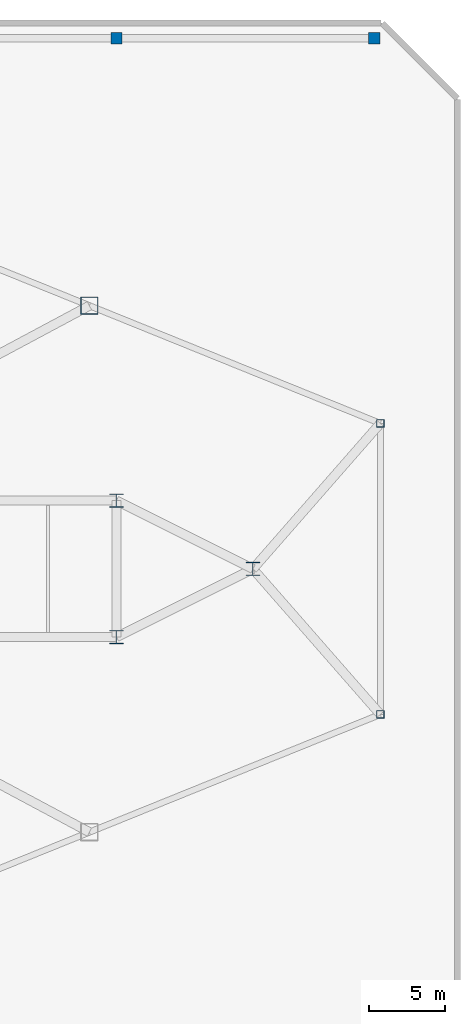
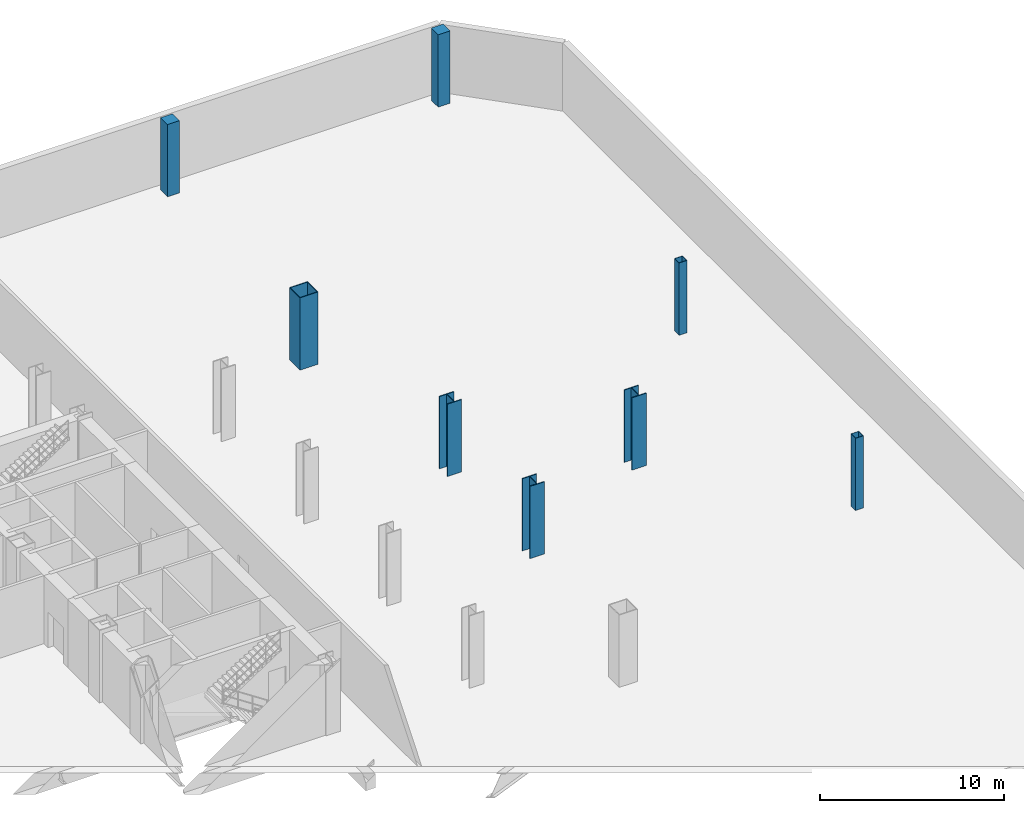
# One storey, part 6 of 18: 8 columns.
"""IFC4 building model written with IfcOpenShell, lengths in metres."""

from ifc_helpers import new_model, si_unit, direction, frame, origin, origin_2d, place, context, subcontext, project, spatial, rectangle, hollow_rectangle, i_section, extrude, source, transform, mapped, material, material_profile, profile_set, type_object, type_shapes, element, save


model = new_model("IFC4")

# Units and contexts
model_context = context("Model", 3, precision=1e-05, world=origin(), true_north=direction((0.0, 1.0)))
body_context = subcontext(model_context, "Body", "Model", "MODEL_VIEW")
ifc_project = project(units=[si_unit("LENGTHUNIT", "METRE"), si_unit("AREAUNIT", "SQUARE_METRE"), si_unit("VOLUMEUNIT", "CUBIC_METRE"), si_unit("PLANEANGLEUNIT", "RADIAN"), si_unit("MASSUNIT", "GRAM", prefix="KILO")], contexts=[model_context])

# Site, building, storey
site_placement = place(None, origin())
site = spatial("IfcSite", under=ifc_project, at=site_placement, CompositionType="ELEMENT")
building_placement = place(site_placement, origin())
building = spatial("IfcBuilding", under=site, at=building_placement, Name="Seokmaru Belvedere", CompositionType="ELEMENT")
storey_placement = place(building_placement, frame((0.0, 0.0, -4.800048828125)))
storey = spatial("IfcBuildingStorey", under=building, at=storey_placement, Name="B1", CompositionType="ELEMENT", Elevation=-4.800048828125)

# Columns
ifc_material_1 = material(Name="Steel HSA650 (650 MPa)", Category="steel")
ifc_material_profile_1 = material_profile(ifc_material_1, hollow_rectangle(XDim=1.14990234375, YDim=1.14990234375, WallThickness=0.048095703125, at=origin_2d()), Name="BOX-1150x1150x48")
ifc_profile_set_1 = profile_set([ifc_material_profile_1], Name="Steel HSA650 (650 MPa)")
column_type_1 = type_object("IfcColumnType", Name="Portal Spine Column BOX-1150", PredefinedType="COLUMN", material=ifc_profile_set_1)
shared_shape_1 = source(origin(), body_context, "Body", "SweptSolid", [
    extrude(hollow_rectangle(XDim=1.14990234375, YDim=1.14990234375, WallThickness=0.048095703125, at=origin_2d()), origin(), (0.0, 0.0, 1.0), 4.800048828125),
])
type_shapes(column_type_1, [shared_shape_1])
column_placement = place(storey_placement, frame((52.715576171875, 17.360595703125, 0.0), z_axis=(0.0, 0.0, 1.0), x_axis=(1.0, 0.0, 0.0)))
element("IfcColumn", 1, at=column_placement, inside=storey, type_object=column_type_1, Name="B1 Column EFLK_N2", PredefinedType="COLUMN", context=body_context, shape_type="MappedRepresentation", body=[
    mapped(shared_shape_1, transform((0.0, 0.0, 0.0), scale=1.0)),
])
ifc_material_profile_2 = material_profile(ifc_material_1, i_section(OverallWidth=0.89990234375, OverallDepth=0.89990234375, WebThickness=0.035888671875, FlangeThickness=0.054931640625, at=origin_2d()), Name="H-900x900x36x55")
ifc_profile_set_2 = profile_set([ifc_material_profile_2], Name="Steel HSA650 (650 MPa)")
column_type_2 = type_object("IfcColumnType", Name="Lower Interior Column H-900", PredefinedType="COLUMN", material=ifc_profile_set_2)
shared_shape_2 = source(origin(), body_context, "Body", "SweptSolid", [
    extrude(i_section(OverallWidth=0.89990234375, OverallDepth=0.89990234375, WebThickness=0.035888671875, FlangeThickness=0.054931640625, at=origin_2d()), origin(), (0.0, 0.0, 1.0), 4.800048828125),
])
type_shapes(column_type_2, [shared_shape_2])
for number, where, z_axis, x_axis, name in (
    (2, (54.5, -4.5, 0.0), (0.0, 0.0, 1.0), (1.0, 0.0, 0.0), "B1 Column EG4P_1"),
    (3, (54.5, 4.5, 0.0), (0.0, 0.0, 1.0), (1.0, 0.0, 0.0), "B1 Column EG4P_2"),
    (4, (63.5, 0.0, 0.0), (0.0, 0.0, 1.0), (1.0, 0.0, 0.0), "B1 Column EG3P_1"),
):
    element("IfcColumn", number, at=place(storey_placement, frame(where, z_axis=z_axis, x_axis=x_axis)), inside=storey, type_object=column_type_2, Name=name, PredefinedType="COLUMN", context=body_context, shape_type="MappedRepresentation", body=[
        mapped(shared_shape_2, transform((0.0, 0.0, 0.0), scale=1.0)),
    ])
ifc_material_2 = material(Name="Steel SM355 (355 MPa)", Category="steel")
ifc_material_profile_3 = material_profile(ifc_material_2, hollow_rectangle(XDim=0.5, YDim=0.5, WallThickness=0.02001953125, at=origin_2d()), Name="HSS-500x500x20")
ifc_profile_set_3 = profile_set([ifc_material_profile_3], Name="Steel SM355 (355 MPa)")
column_type_3 = type_object("IfcColumnType", Name="Perimeter Facet Column HSS-500", PredefinedType="COLUMN", material=ifc_profile_set_3)
shared_shape_3 = source(origin(), body_context, "Body", "SweptSolid", [
    extrude(hollow_rectangle(XDim=0.5, YDim=0.5, WallThickness=0.02001953125, at=origin_2d()), origin(), (0.0, 0.0, 1.0), 4.800048828125),
])
type_shapes(column_type_3, [shared_shape_3])
for number, where, z_axis, x_axis, name in (
    (5, (71.89990234375, -9.595703125, 0.0), (0.0, 0.0, 1.0), (1.0, 0.0, 0.0), "B1 Column EF2"),
    (6, (71.89990234375, 9.595703125, 0.0), (0.0, 0.0, 1.0), (1.0, 0.0, 0.0), "B1 Column EF3"),
):
    element("IfcColumn", number, at=place(storey_placement, frame(where, z_axis=z_axis, x_axis=x_axis)), inside=storey, type_object=column_type_3, Name=name, PredefinedType="COLUMN", context=body_context, shape_type="MappedRepresentation", body=[
        mapped(shared_shape_3, transform((0.0, 0.0, 0.0), scale=1.0)),
    ])
ifc_material_3 = material(Name="Concrete C50 (50 MPa)", Category="concrete")
ifc_material_profile_4 = material_profile(ifc_material_3, rectangle(XDim=0.75, YDim=0.75, at=origin_2d()), Name="RC-750x750")
ifc_profile_set_4 = profile_set([ifc_material_profile_4], Name="Concrete C50 (50 MPa)")
column_type_4 = type_object("IfcColumnType", Name="Plaza Substructure Pier Column RC-750", PredefinedType="COLUMN", material=ifc_profile_set_4)
shared_shape_4 = source(origin(), body_context, "Body", "SweptSolid", [
    extrude(rectangle(XDim=0.75, YDim=0.75, at=origin_2d()), origin(), (0.0, 0.0, 1.0), 4.800048828125),
])
type_shapes(column_type_4, [shared_shape_4])
for number, where, z_axis, x_axis, name in (
    (7, (54.5, 35.0, 0.0), (0.0, 0.0, 1.0), (1.0, 0.0, 0.0), "B1 Column PLZ_N11"),
    (8, (71.5, 35.0, 0.0), (0.0, 0.0, 1.0), (1.0, 0.0, 0.0), "B1 Column PLZ_N12"),
):
    element("IfcColumn", number, at=place(storey_placement, frame(where, z_axis=z_axis, x_axis=x_axis)), inside=storey, type_object=column_type_4, Name=name, PredefinedType="COLUMN", context=body_context, shape_type="MappedRepresentation", body=[
        mapped(shared_shape_4, transform((0.0, 0.0, 0.0), scale=1.0)),
    ])

save(model, "model.ifc")
